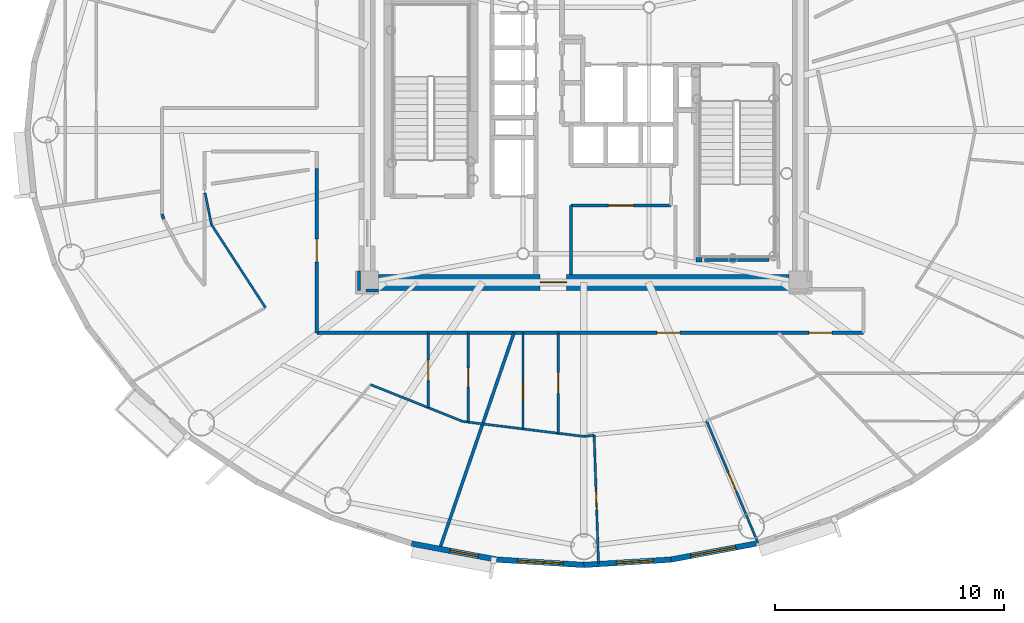
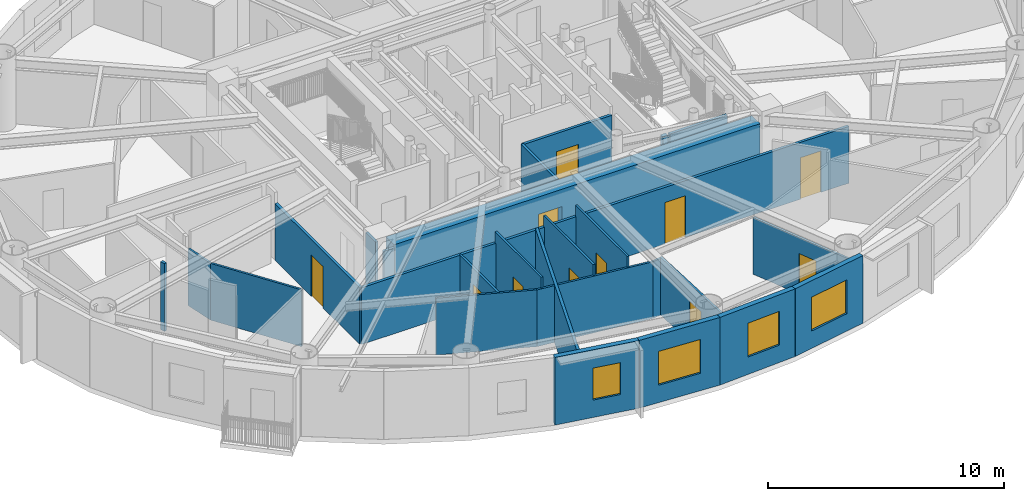
# One storey, part 6 of 18: 26 walls, 11 doors, 4 windows, 15 openings.
"""IFC4 building model written with IfcOpenShell, lengths in metres."""

from ifc_helpers import new_model, si_unit, direction, frame, frame_2d, origin, origin_2d, place, context, subcontext, project, spatial, rectangle, extrude, source, transform, mapped, material, layer, layer_set, type_object, element, fill, save


model = new_model("IFC4")

# Units and contexts
model_context = context("Model", 3, precision=1e-05, world=origin(), true_north=direction((0.0, 1.0)))
body_context = subcontext(model_context, "Body", "Model", "MODEL_VIEW")
ifc_project = project(units=[si_unit("LENGTHUNIT", "METRE"), si_unit("AREAUNIT", "SQUARE_METRE"), si_unit("VOLUMEUNIT", "CUBIC_METRE"), si_unit("PLANEANGLEUNIT", "RADIAN"), si_unit("MASSUNIT", "GRAM", prefix="KILO")], contexts=[model_context])

# Site, building, storey
site_placement = place(None, origin())
site = spatial("IfcSite", under=ifc_project, at=site_placement, CompositionType="ELEMENT")
building_placement = place(site_placement, origin())
building = spatial("IfcBuilding", under=site, at=building_placement, Name="Linh Dai School and Residence Tower", CompositionType="ELEMENT")
storey_placement = place(building_placement, frame((0.0, 0.0, 240.300048828125)))
storey = spatial("IfcBuildingStorey", under=building, at=storey_placement, Name="L59", CompositionType="ELEMENT", Elevation=240.300048828125)

# Wall, opening, window
ifc_material_1 = material(Name="Precast Concrete B45 (C35/45)", Category="concrete")
ifc_layer_1 = layer(ifc_material_1, 0.239990234375)
ifc_layer_set_1 = layer_set([ifc_layer_1], Name="Precast Concrete B45 (C35/45)")
wall_type_1 = type_object("IfcWallType", Name="EW-TC-240", PredefinedType="SOLIDWALL", material=ifc_layer_set_1)
wall_1_placement = place(storey_placement, frame((32.198486328125, 8.254150390625, 0.0), z_axis=(0.0, 0.0, 1.0), x_axis=(-0.982784898575, 0.184753465822, 0.0)))
wall_1 = element("IfcWall", 1, at=wall_1_placement, inside=storey, type_object=wall_type_1, Name="L59 Terracotta Exterior Wall 29", PredefinedType="SOLIDWALL", context=body_context, shape_type="SweptSolid", body=[
    extrude(rectangle(XDim=3.772705078125, YDim=0.239990234375, at=frame_2d((1.88623046875, 0.0))), origin(), (0.0, 0.0, 1.0), 3.5),
])
opening_1_placement = place(wall_1_placement, frame((0.824462890625, 0.0, 0.89990234375)))
opening_1 = element("IfcOpeningElement", 2, at=opening_1_placement, cuts=wall_1, Name="Opening W3", PredefinedType="OPENING", context=body_context, shape_type="SweptSolid", body=[
    extrude(rectangle(XDim=1.25, YDim=1.64990234375, at=origin_2d()), frame((0.625, 0.1298828125, 0.824951171875), z_axis=(0.0, -1.0, 0.0), x_axis=(1.0, 0.0, 0.0)), (0.0, 0.0, 1.0), 0.260009765625),
])
ifc_material_2 = material(Name="Double Low-E Insulated Glazing", Category="glass")
window_type_1 = type_object("IfcWindowType", Name="WN-RES-1250x1650", PartitioningType="SINGLE_PANEL", PredefinedType="WINDOW", material=ifc_material_2)
shared_shape_1 = source(origin(), body_context, "Body", "SweptSolid", [
    extrude(rectangle(XDim=1.25, YDim=1.64990234375, at=origin_2d()), frame((0.625, 0.030029296875, 0.824951171875), z_axis=(0.0, -1.0, 0.0), x_axis=(1.0, 0.0, 0.0)), (0.0, 0.0, 1.0), 0.06005859375),
])
window_1_placement = place(opening_1_placement, origin())
window_1 = element("IfcWindow", 3, at=window_1_placement, inside=storey, type_object=window_type_1, Name="L59 Exterior Window 29.1", OverallHeight=1.64990234375, OverallWidth=1.25, PartitioningType="SINGLE_PANEL", PredefinedType="WINDOW", context=body_context, shape_type="MappedRepresentation", body=[
    mapped(shared_shape_1, transform((0.0, 0.0, 0.0), x_axis=(1.0, 0.0, 0.0), y_axis=(0.0, 1.0, 0.0), z_axis=(0.0, 0.0, 1.0), scale=1.0)),
])
fill(opening_1, window_1)

wall_2_placement = place(storey_placement, frame((36.0, 8.02001953125, 0.0), z_axis=(0.0, 0.0, 1.0), x_axis=(-0.998108785312, 0.06147237333, 0.0)))
wall_2 = element("IfcWall", 4, at=wall_2_placement, inside=storey, type_object=wall_type_1, Name="L59 Terracotta Exterior Wall 30", PredefinedType="SOLIDWALL", context=body_context, shape_type="SweptSolid", body=[
    extrude(rectangle(XDim=3.808837890625, YDim=0.239990234375, at=frame_2d((1.904296875, 0.0))), origin(), (0.0, 0.0, 1.0), 3.5),
])
opening_2_placement = place(wall_2_placement, frame((0.904296875, 0.0, 0.89990234375)))
opening_2 = element("IfcOpeningElement", 5, at=opening_2_placement, cuts=wall_2, Name="Opening W1", PredefinedType="OPENING", context=body_context, shape_type="SweptSolid", body=[
    extrude(rectangle(XDim=2.0, YDim=1.75, at=origin_2d()), frame((1.0, 0.1298828125, 0.875), z_axis=(0.0, -1.0, 0.0), x_axis=(1.0, 0.0, 0.0)), (0.0, 0.0, 1.0), 0.260009765625),
])
window_type_2 = type_object("IfcWindowType", Name="WN-RES-2000x1750", PartitioningType="DOUBLE_PANEL_VERTICAL", PredefinedType="WINDOW", material=ifc_material_2)
shared_shape_2 = source(origin(), body_context, "Body", "SweptSolid", [
    extrude(rectangle(XDim=2.0, YDim=1.75, at=origin_2d()), frame((1.0, 0.030029296875, 0.875), z_axis=(0.0, -1.0, 0.0), x_axis=(1.0, 0.0, 0.0)), (0.0, 0.0, 1.0), 0.06005859375),
])
window_2_placement = place(opening_2_placement, origin())
window_2 = element("IfcWindow", 6, at=window_2_placement, inside=storey, type_object=window_type_2, Name="L59 Exterior Window 30.1", OverallHeight=1.75, OverallWidth=2.0, PartitioningType="DOUBLE_PANEL_VERTICAL", PredefinedType="WINDOW", context=body_context, shape_type="MappedRepresentation", body=[
    mapped(shared_shape_2, transform((0.0, 0.0, 0.0), x_axis=(1.0, 0.0, 0.0), y_axis=(0.0, 1.0, 0.0), z_axis=(0.0, 0.0, 1.0), scale=1.0)),
])
fill(opening_2, window_2)

wall_3_placement = place(storey_placement, frame((39.801513671875, 8.254150390625, 0.0), z_axis=(0.0, 0.0, 1.0), x_axis=(-0.998108785312, -0.06147237333, 0.0)))
wall_3 = element("IfcWall", 7, at=wall_3_placement, inside=storey, type_object=wall_type_1, Name="L59 Terracotta Exterior Wall 31", PredefinedType="SOLIDWALL", context=body_context, shape_type="SweptSolid", body=[
    extrude(rectangle(XDim=3.808837890625, YDim=0.239990234375, at=frame_2d((1.904296875, 0.0))), origin(), (0.0, 0.0, 1.0), 3.5),
])
opening_3_placement = place(wall_3_placement, frame((0.78466796875, 0.0, 0.89990234375)))
opening_3 = element("IfcOpeningElement", 8, at=opening_3_placement, cuts=wall_3, Name="Opening W2", PredefinedType="OPENING", context=body_context, shape_type="SweptSolid", body=[
    extrude(rectangle(XDim=1.60009765625, YDim=1.75, at=origin_2d()), frame((0.800048828125, 0.1298828125, 0.875), z_axis=(0.0, -1.0, 0.0), x_axis=(1.0, 0.0, 0.0)), (0.0, 0.0, 1.0), 0.260009765625),
])
window_type_3 = type_object("IfcWindowType", Name="WN-RES-1600x1750", PartitioningType="DOUBLE_PANEL_VERTICAL", PredefinedType="WINDOW", material=ifc_material_2)
shared_shape_3 = source(origin(), body_context, "Body", "SweptSolid", [
    extrude(rectangle(XDim=1.60009765625, YDim=1.75, at=origin_2d()), frame((0.800048828125, 0.030029296875, 0.875), z_axis=(0.0, -1.0, 0.0), x_axis=(1.0, 0.0, 0.0)), (0.0, 0.0, 1.0), 0.06005859375),
])
window_3_placement = place(opening_3_placement, origin())
window_3 = element("IfcWindow", 9, at=window_3_placement, inside=storey, type_object=window_type_3, Name="L59 Exterior Window 31.1", OverallHeight=1.75, OverallWidth=1.60009765625, PartitioningType="DOUBLE_PANEL_VERTICAL", PredefinedType="WINDOW", context=body_context, shape_type="MappedRepresentation", body=[
    mapped(shared_shape_3, transform((0.0, 0.0, 0.0), x_axis=(1.0, 0.0, 0.0), y_axis=(0.0, 1.0, 0.0), z_axis=(0.0, 0.0, 1.0), scale=1.0)),
])
fill(opening_3, window_3)

wall_4_placement = place(storey_placement, frame((43.50927734375, 8.951171875, 0.0), z_axis=(0.0, 0.0, 1.0), x_axis=(-0.982784898575, -0.184753465822, 0.0)))
wall_4 = element("IfcWall", 10, at=wall_4_placement, inside=storey, type_object=wall_type_1, Name="L59 Terracotta Exterior Wall 32", PredefinedType="SOLIDWALL", context=body_context, shape_type="SweptSolid", body=[
    extrude(rectangle(XDim=3.772705078125, YDim=0.239990234375, at=frame_2d((1.88623046875, 0.0))), origin(), (0.0, 0.0, 1.0), 3.5),
])
opening_4_placement = place(wall_4_placement, frame((0.88623046875, 0.0, 0.89990234375)))
opening_4 = element("IfcOpeningElement", 11, at=opening_4_placement, cuts=wall_4, Name="Opening W1", PredefinedType="OPENING", context=body_context, shape_type="SweptSolid", body=[
    extrude(rectangle(XDim=2.0, YDim=1.75, at=origin_2d()), frame((1.0, 0.1298828125, 0.875), z_axis=(0.0, -1.0, 0.0), x_axis=(1.0, 0.0, 0.0)), (0.0, 0.0, 1.0), 0.260009765625),
])
window_4_placement = place(opening_4_placement, origin())
window_4 = element("IfcWindow", 12, at=window_4_placement, inside=storey, type_object=window_type_2, Name="L59 Exterior Window 32.1", OverallHeight=1.75, OverallWidth=2.0, PartitioningType="DOUBLE_PANEL_VERTICAL", PredefinedType="WINDOW", context=body_context, shape_type="MappedRepresentation", body=[
    mapped(shared_shape_2, transform((0.0, 0.0, 0.0), x_axis=(1.0, 0.0, 0.0), y_axis=(0.0, 1.0, 0.0), z_axis=(0.0, 0.0, 1.0), scale=1.0)),
])
fill(opening_4, window_4)

# Wall
ifc_material_3 = material(Name="Autoclaved Aerated Concrete Blockwork", Category="masonry")
ifc_layer_2 = layer(ifc_material_3, 0.135009765625)
ifc_layer_set_2 = layer_set([ifc_layer_2], Name="Autoclaved Aerated Concrete Blockwork")
wall_type_2 = type_object("IfcWallType", Name="IW-CORR-135-EI90", PredefinedType="PARTITIONING", material=ifc_layer_set_2)
wall_5_placement = place(storey_placement, frame((17.60009765625, 23.327880859375, 0.0), z_axis=(0.0, 0.0, 1.0), x_axis=(0.292875000845, -0.956150738053, 0.0)))
element("IfcWall", 13, at=wall_5_placement, inside=storey, type_object=wall_type_2, Name="L59 Interior Partition Wall 008", PredefinedType="PARTITIONING", context=body_context, shape_type="SweptSolid", body=[
    extrude(rectangle(XDim=0.226806640625, YDim=0.135009765625, at=frame_2d((0.11328125, 0.0))), origin(), (0.0, 0.0, 1.0), 3.5),
])

# Wall, opening, door
wall_6_placement = place(storey_placement, frame((24.35009765625, 18.14990234375, 0.0), z_axis=(0.0, 0.0, 1.0), x_axis=(0.0, 1.0, 0.0)))
wall_6 = element("IfcWall", 14, at=wall_6_placement, inside=storey, type_object=wall_type_2, Name="L59 Interior Partition Wall 020", PredefinedType="PARTITIONING", context=body_context, shape_type="SweptSolid", body=[
    extrude(rectangle(XDim=7.16259765625, YDim=0.135009765625, at=frame_2d((3.581298828125, 0.0))), origin(), (0.0, 0.0, 1.0), 2.93505859375),
])
opening_5_placement = place(wall_6_placement, frame((3.081298828125, 0.0, 0.0)))
opening_5 = element("IfcOpeningElement", 15, at=opening_5_placement, cuts=wall_6, Name="Opening D03", PredefinedType="OPENING", context=body_context, shape_type="SweptSolid", body=[
    extrude(rectangle(XDim=1.0, YDim=2.14990234375, at=origin_2d()), frame((0.5, 0.07763671875, 1.074951171875), z_axis=(0.0, -1.0, 0.0), x_axis=(1.0, 0.0, 0.0)), (0.0, 0.0, 1.0), 0.155029296875),
])
ifc_material_4 = material(Name="Fire-Rated Solid Timber Entrance Door", Category="wood")
door_type_1 = type_object("IfcDoorType", Name="DR-FLAT-1000x2150-FD60S", OperationType="NOTDEFINED", PredefinedType="DOOR", material=ifc_material_4)
shared_shape_4 = source(origin(), body_context, "Body", "SweptSolid", [
    extrude(rectangle(XDim=1.0, YDim=2.14990234375, at=origin_2d()), frame((0.5, 0.02490234375, 1.074951171875), z_axis=(0.0, -1.0, 0.0), x_axis=(1.0, 0.0, 0.0)), (0.0, 0.0, 1.0), 0.050048828125),
])
door_1_placement = place(opening_5_placement, origin())
door_1 = element("IfcDoor", 16, at=door_1_placement, inside=storey, type_object=door_type_1, Name="L59 U5903 Apartment Entrance Door", OperationType="SINGLE_SWING_RIGHT", OverallHeight=2.14990234375, OverallWidth=1.0, PredefinedType="DOOR", context=body_context, shape_type="MappedRepresentation", body=[
    mapped(shared_shape_4, transform((0.0, 0.0, 0.0), x_axis=(1.0, 0.0, 0.0), y_axis=(0.0, 1.0, 0.0), z_axis=(0.0, 0.0, 1.0), scale=1.0)),
])
fill(opening_5, door_1)

# Wall, openings, doors
wall_7_placement = place(storey_placement, frame((24.35009765625, 18.14990234375, 0.0), z_axis=(0.0, 0.0, 1.0), x_axis=(1.0, 0.0, 0.0)))
wall_7 = element("IfcWall", 17, at=wall_7_placement, inside=storey, type_object=wall_type_2, Name="L59 Interior Partition Wall 021", PredefinedType="PARTITIONING", context=body_context, shape_type="SweptSolid", body=[
    extrude(rectangle(XDim=23.849853515625, YDim=0.135009765625, at=frame_2d((11.9248046875, 0.0))), origin(), (0.0, 0.0, 1.0), 2.93505859375),
])
opening_6_placement = place(wall_7_placement, frame((14.838134765625, 0.0, 0.0)))
opening_6 = element("IfcOpeningElement", 18, at=opening_6_placement, cuts=wall_7, Name="Opening D03", PredefinedType="OPENING", context=body_context, shape_type="SweptSolid", body=[
    extrude(rectangle(XDim=1.0, YDim=2.14990234375, at=origin_2d()), frame((0.5, 0.07763671875, 1.074951171875), z_axis=(0.0, -1.0, 0.0), x_axis=(1.0, 0.0, 0.0)), (0.0, 0.0, 1.0), 0.155029296875),
])
opening_7_placement = place(wall_7_placement, frame((21.472412109375, 0.0, 0.0)))
opening_7 = element("IfcOpeningElement", 19, at=opening_7_placement, cuts=wall_7, Name="Opening D03", PredefinedType="OPENING", context=body_context, shape_type="SweptSolid", body=[
    extrude(rectangle(XDim=1.0, YDim=2.14990234375, at=origin_2d()), frame((0.5, 0.07763671875, 1.074951171875), z_axis=(0.0, -1.0, 0.0), x_axis=(1.0, 0.0, 0.0)), (0.0, 0.0, 1.0), 0.155029296875),
])
door_2_placement = place(opening_6_placement, origin())
door_2 = element("IfcDoor", 20, at=door_2_placement, inside=storey, type_object=door_type_1, Name="L59 U5904 Apartment Entrance Door", OperationType="SINGLE_SWING_LEFT", OverallHeight=2.14990234375, OverallWidth=1.0, PredefinedType="DOOR", context=body_context, shape_type="MappedRepresentation", body=[
    mapped(shared_shape_4, transform((0.0, 0.0, 0.0), x_axis=(1.0, 0.0, 0.0), y_axis=(0.0, 1.0, 0.0), z_axis=(0.0, 0.0, 1.0), scale=1.0)),
])
fill(opening_6, door_2)
door_3_placement = place(opening_7_placement, origin())
door_3 = element("IfcDoor", 21, at=door_3_placement, inside=storey, type_object=door_type_1, Name="L59 U5905 Apartment Entrance Door", OperationType="SINGLE_SWING_RIGHT", OverallHeight=2.14990234375, OverallWidth=1.0, PredefinedType="DOOR", context=body_context, shape_type="MappedRepresentation", body=[
    mapped(shared_shape_4, transform((0.0, 0.0, 0.0), x_axis=(1.0, 0.0, 0.0), y_axis=(0.0, 1.0, 0.0), z_axis=(0.0, 0.0, 1.0), scale=1.0)),
])
fill(opening_7, door_3)

# Walls
wall_8_placement = place(storey_placement, frame((29.7109375, 8.716796875, 0.0), z_axis=(0.0, 0.0, 1.0), x_axis=(0.325280852175, 0.945617452889, 0.0)))
element("IfcWall", 22, at=wall_8_placement, inside=storey, type_object=wall_type_2, Name="L59 Interior Partition Wall 029", PredefinedType="PARTITIONING", context=body_context, shape_type="SweptSolid", body=[
    extrude(rectangle(XDim=9.9755859375, YDim=0.135009765625, at=frame_2d((4.98779296875, 0.0))), origin(), (0.0, 0.0, 1.0), 2.98486328125),
])
wall_9_placement = place(storey_placement, frame((35.449951171875, 20.699951171875, 0.0), z_axis=(0.0, 0.0, 1.0), x_axis=(0.0, 1.0, 0.0)))
element("IfcWall", 23, at=wall_9_placement, inside=storey, type_object=wall_type_2, Name="L59 Interior Partition Wall 052", PredefinedType="PARTITIONING", context=body_context, shape_type="SweptSolid", body=[
    extrude(rectangle(XDim=3.0, YDim=0.135009765625, at=frame_2d((1.5, 0.0))), origin(), (0.0, 0.0, 1.0), 3.0849609375),
])

# Wall, opening, door
wall_10_placement = place(storey_placement, frame((35.449951171875, 23.699951171875, 0.0), z_axis=(0.0, 0.0, 1.0), x_axis=(1.0, 0.0, 0.0)))
wall_10 = element("IfcWall", 24, at=wall_10_placement, inside=storey, type_object=wall_type_2, Name="L59 Interior Partition Wall 053", PredefinedType="PARTITIONING", context=body_context, shape_type="SweptSolid", body=[
    extrude(rectangle(XDim=4.35009765625, YDim=0.135009765625, at=frame_2d((2.175048828125, 0.0))), origin(), (0.0, 0.0, 1.0), 3.0849609375),
])
opening_8_placement = place(wall_10_placement, frame((1.625, 0.0, 0.0)))
opening_8 = element("IfcOpeningElement", 25, at=opening_8_placement, cuts=wall_10, Name="Opening D07", PredefinedType="OPENING", context=body_context, shape_type="SweptSolid", body=[
    extrude(rectangle(XDim=1.10009765625, YDim=2.14990234375, at=origin_2d()), frame((0.550048828125, 0.07763671875, 1.074951171875), z_axis=(0.0, -1.0, 0.0), x_axis=(1.0, 0.0, 0.0)), (0.0, 0.0, 1.0), 0.155029296875),
])
ifc_material_5 = material(Name="Fire-Rated Louvred Steel Plant Door", Category="steel")
door_type_2 = type_object("IfcDoorType", Name="DR-PLT-1100x2150-FD60S", OperationType="NOTDEFINED", PredefinedType="DOOR", material=ifc_material_5)
shared_shape_5 = source(origin(), body_context, "Body", "SweptSolid", [
    extrude(rectangle(XDim=1.10009765625, YDim=2.14990234375, at=origin_2d()), frame((0.550048828125, 0.02490234375, 1.074951171875), z_axis=(0.0, -1.0, 0.0), x_axis=(1.0, 0.0, 0.0)), (0.0, 0.0, 1.0), 0.050048828125),
])
door_4_placement = place(opening_8_placement, origin())
door_4 = element("IfcDoor", 26, at=door_4_placement, inside=storey, type_object=door_type_2, Name="L59 Tenant Metering and BMS Room Door", OperationType="SINGLE_SWING_RIGHT", OverallHeight=2.14990234375, OverallWidth=1.10009765625, PredefinedType="DOOR", context=body_context, shape_type="MappedRepresentation", body=[
    mapped(shared_shape_5, transform((0.0, 0.0, 0.0), x_axis=(1.0, 0.0, 0.0), y_axis=(0.0, 1.0, 0.0), z_axis=(0.0, 0.0, 1.0), scale=1.0)),
])
fill(opening_8, door_4)

# Walls
wall_11_placement = place(storey_placement, frame((44.080078125, 21.330078125, 0.0), z_axis=(0.0, 0.0, 1.0), x_axis=(-1.0, 0.0, 0.0)))
element("IfcWall", 27, at=wall_11_placement, inside=storey, type_object=wall_type_2, Name="L59 Interior Partition Wall 097", PredefinedType="PARTITIONING", context=body_context, shape_type="SweptSolid", body=[
    extrude(rectangle(XDim=2.820068359375, YDim=0.135009765625, at=frame_2d((1.41015625, 0.0))), origin(), (0.0, 0.0, 1.0), 3.034912109375),
])
wall_12_placement = place(storey_placement, frame((26.199951171875, 20.840087890625, 0.0), z_axis=(0.0, 0.0, 1.0), x_axis=(0.0, -1.0, 0.0)))
element("IfcWall", 28, at=wall_12_placement, inside=storey, type_object=wall_type_2, Name="L59 Interior Partition Wall 108", PredefinedType="PARTITIONING", context=body_context, shape_type="SweptSolid", body=[
    extrude(rectangle(XDim=0.840087890625, YDim=0.135009765625, at=frame_2d((0.419921875, 0.0))), origin(), (0.0, 0.0, 1.0), 3.5),
])
wall_13_placement = place(storey_placement, frame((26.507568359375, 20.0, 0.0), z_axis=(0.0, 0.0, 1.0), x_axis=(1.0, 0.0, 0.0)))
element("IfcWall", 29, at=wall_13_placement, inside=storey, type_object=wall_type_2, Name="L59 Interior Partition Wall 109", PredefinedType="PARTITIONING", context=body_context, shape_type="SweptSolid", body=[
    extrude(rectangle(XDim=0.532470703125, YDim=0.135009765625, at=frame_2d((0.26611328125, 0.0))), origin(), (0.0, 0.0, 1.0), 2.93505859375),
])
ifc_material_6 = material(Name="Concrete B45 (C35/45)", Category="concrete")
ifc_layer_3 = layer(ifc_material_6, 0.199951171875)
ifc_layer_set_3 = layer_set([ifc_layer_3], Name="Concrete B45 (C35/45)")
wall_type_3 = type_object("IfcWallType", Name="IW-SHAFT-200-EI120", PredefinedType="PARTITIONING", material=ifc_layer_set_3)
wall_14_placement = place(storey_placement, frame((40.89990234375, 21.330078125, 0.0), z_axis=(0.0, 0.0, 1.0), x_axis=(1.0, 0.0, 0.0)))
element("IfcWall", 30, at=wall_14_placement, inside=storey, type_object=wall_type_3, Name="L59 Interior Partition Wall 071", PredefinedType="PARTITIONING", context=body_context, shape_type="SweptSolid", body=[
    extrude(rectangle(XDim=0.25, YDim=0.199951171875, at=frame_2d((0.125, 0.0))), origin(), (0.0, 0.0, 1.0), 3.034912109375),
])
ifc_material_7 = material(Name="Gypsum Plasterboard Acoustic Stud Partition", Category="masonry")
ifc_layer_4 = layer(ifc_material_7, 0.10009765625)
ifc_layer_set_4 = layer_set([ifc_layer_4], Name="Gypsum Plasterboard Acoustic Stud Partition")
wall_type_4 = type_object("IfcWallType", Name="IW-UNIT-100", PredefinedType="PARTITIONING", material=ifc_layer_set_4)
wall_15_placement = place(storey_placement, frame((19.47509765625, 24.255859375, 0.0), z_axis=(0.0, 0.0, 1.0), x_axis=(0.198203790622, -0.980160832406, 0.0)))
element("IfcWall", 31, at=wall_15_placement, inside=storey, type_object=wall_type_4, Name="L59 Interior Partition Wall 015", PredefinedType="PARTITIONING", context=body_context, shape_type="SweptSolid", body=[
    extrude(rectangle(XDim=1.41650390625, YDim=0.10009765625, at=frame_2d((0.708251953125, 0.0))), origin(), (0.0, 0.0, 1.0), 2.93505859375),
])
wall_16_placement = place(storey_placement, frame((19.755859375, 22.867431640625, 0.0), z_axis=(0.0, 0.0, 1.0), x_axis=(0.545441385955, -0.83814896915, 0.0)))
element("IfcWall", 32, at=wall_16_placement, inside=storey, type_object=wall_type_4, Name="L59 Interior Partition Wall 016", PredefinedType="PARTITIONING", context=body_context, shape_type="SweptSolid", body=[
    extrude(rectangle(XDim=4.318115234375, YDim=0.10009765625, at=frame_2d((2.1591796875, 0.0))), origin(), (0.0, 0.0, 1.0), 2.93505859375),
])
wall_17_placement = place(storey_placement, frame((26.703369140625, 15.88427734375, 0.0), z_axis=(0.0, 0.0, 1.0), x_axis=(0.928807108231, -0.370563564991, 0.0)))
element("IfcWall", 33, at=wall_17_placement, inside=storey, type_object=wall_type_4, Name="L59 Interior Partition Wall 025", PredefinedType="PARTITIONING", context=body_context, shape_type="SweptSolid", body=[
    extrude(rectangle(XDim=4.32666015625, YDim=0.10009765625, at=frame_2d((2.163330078125, 0.0))), origin(), (0.0, 0.0, 1.0), 2.93505859375),
])

# Wall, opening, door
wall_18_placement = place(storey_placement, frame((29.212890625, 14.883056640625, 0.0), z_axis=(0.0, 0.0, 1.0), x_axis=(0.0, 1.0, 0.0)))
wall_18 = element("IfcWall", 34, at=wall_18_placement, inside=storey, type_object=wall_type_4, Name="L59 Interior Partition Wall 027", PredefinedType="PARTITIONING", context=body_context, shape_type="SweptSolid", body=[
    extrude(rectangle(XDim=3.266845703125, YDim=0.10009765625, at=frame_2d((1.63330078125, 0.0))), origin(), (0.0, 0.0, 1.0), 2.93505859375),
])
opening_9_placement = place(wall_18_placement, frame((1.183349609375, 0.0, 0.0)))
opening_9 = element("IfcOpeningElement", 35, at=opening_9_placement, cuts=wall_18, Name="Opening D05", PredefinedType="OPENING", context=body_context, shape_type="SweptSolid", body=[
    extrude(rectangle(XDim=0.89990234375, YDim=2.10009765625, at=origin_2d()), frame((0.449951171875, 0.06005859375, 1.050048828125), z_axis=(0.0, -1.0, 0.0), x_axis=(1.0, 0.0, 0.0)), (0.0, 0.0, 1.0), 0.1201171875),
])
ifc_material_8 = material(Name="Engineered Timber Internal Door", Category="wood")
door_type_3 = type_object("IfcDoorType", Name="DR-INT-900x2100", OperationType="NOTDEFINED", PredefinedType="DOOR", material=ifc_material_8)
shared_shape_6 = source(origin(), body_context, "Body", "SweptSolid", [
    extrude(rectangle(XDim=0.89990234375, YDim=2.10009765625, at=origin_2d()), frame((0.449951171875, 0.02490234375, 1.050048828125), z_axis=(0.0, -1.0, 0.0), x_axis=(1.0, 0.0, 0.0)), (0.0, 0.0, 1.0), 0.050048828125),
])
door_5_placement = place(opening_9_placement, origin())
door_5 = element("IfcDoor", 36, at=door_5_placement, inside=storey, type_object=door_type_3, Name="L59 Apartment U5903 Kitchen Door", OperationType="SINGLE_SWING_LEFT", OverallHeight=2.10009765625, OverallWidth=0.89990234375, PredefinedType="DOOR", context=body_context, shape_type="MappedRepresentation", body=[
    mapped(shared_shape_6, transform((0.0, 0.0, 0.0), x_axis=(1.0, 0.0, 0.0), y_axis=(0.0, 1.0, 0.0), z_axis=(0.0, 0.0, 1.0), scale=1.0)),
])
fill(opening_9, door_5)

# Wall
wall_19_placement = place(storey_placement, frame((30.721923828125, 14.281005859375, 0.0), z_axis=(0.0, 0.0, 1.0), x_axis=(0.992398864395, -0.123062967412, 0.0)))
element("IfcWall", 37, at=wall_19_placement, inside=storey, type_object=wall_type_4, Name="L59 Interior Partition Wall 030", PredefinedType="PARTITIONING", context=body_context, shape_type="SweptSolid", body=[
    extrude(rectangle(XDim=5.31884765625, YDim=0.10009765625, at=frame_2d((2.659423828125, 0.0))), origin(), (0.0, 0.0, 1.0), 2.93505859375),
])

# Wall, opening, door
wall_20_placement = place(storey_placement, frame((30.96484375, 14.2509765625, 0.0), z_axis=(0.0, 0.0, 1.0), x_axis=(0.0, 1.0, 0.0)))
wall_20 = element("IfcWall", 38, at=wall_20_placement, inside=storey, type_object=wall_type_4, Name="L59 Interior Partition Wall 032", PredefinedType="PARTITIONING", context=body_context, shape_type="SweptSolid", body=[
    extrude(rectangle(XDim=3.89892578125, YDim=0.10009765625, at=frame_2d((1.949462890625, 0.0))), origin(), (0.0, 0.0, 1.0), 3.5),
])
opening_10_placement = place(wall_20_placement, frame((1.53955078125, 0.0, 0.0)))
opening_10 = element("IfcOpeningElement", 39, at=opening_10_placement, cuts=wall_20, Name="Opening D06", PredefinedType="OPENING", context=body_context, shape_type="SweptSolid", body=[
    extrude(rectangle(XDim=0.820068359375, YDim=2.10009765625, at=origin_2d()), frame((0.41015625, 0.06005859375, 1.050048828125), z_axis=(0.0, -1.0, 0.0), x_axis=(1.0, 0.0, 0.0)), (0.0, 0.0, 1.0), 0.1201171875),
])
ifc_material_9 = material(Name="Moisture-Resistant Timber Bathroom Door", Category="wood")
door_type_4 = type_object("IfcDoorType", Name="DR-WET-820x2100", OperationType="NOTDEFINED", PredefinedType="DOOR", material=ifc_material_9)
shared_shape_7 = source(origin(), body_context, "Body", "SweptSolid", [
    extrude(rectangle(XDim=0.820068359375, YDim=2.10009765625, at=origin_2d()), frame((0.41015625, 0.02490234375, 1.050048828125), z_axis=(0.0, -1.0, 0.0), x_axis=(1.0, 0.0, 0.0)), (0.0, 0.0, 1.0), 0.050048828125),
])
door_6_placement = place(opening_10_placement, origin())
door_6 = element("IfcDoor", 40, at=door_6_placement, inside=storey, type_object=door_type_4, Name="L59 Apartment U5903 Bathroom 1 Door", OperationType="SINGLE_SWING_RIGHT", OverallHeight=2.10009765625, OverallWidth=0.820068359375, PredefinedType="DOOR", context=body_context, shape_type="MappedRepresentation", body=[
    mapped(shared_shape_7, transform((0.0, 0.0, 0.0), x_axis=(1.0, 0.0, 0.0), y_axis=(0.0, 1.0, 0.0), z_axis=(0.0, 0.0, 1.0), scale=1.0)),
])
fill(opening_10, door_6)

wall_21_placement = place(storey_placement, frame((33.344970703125, 13.955810546875, 0.0), z_axis=(0.0, 0.0, 1.0), x_axis=(0.0, 1.0, 0.0)))
wall_21 = element("IfcWall", 41, at=wall_21_placement, inside=storey, type_object=wall_type_4, Name="L59 Interior Partition Wall 042", PredefinedType="PARTITIONING", context=body_context, shape_type="SweptSolid", body=[
    extrude(rectangle(XDim=4.194091796875, YDim=0.10009765625, at=frame_2d((2.09716796875, 0.0))), origin(), (0.0, 0.0, 1.0), 3.5),
])
opening_11_placement = place(wall_21_placement, frame((1.217041015625, 0.0, 0.0)))
opening_11 = element("IfcOpeningElement", 42, at=opening_11_placement, cuts=wall_21, Name="Opening D06", PredefinedType="OPENING", context=body_context, shape_type="SweptSolid", body=[
    extrude(rectangle(XDim=0.820068359375, YDim=2.10009765625, at=origin_2d()), frame((0.41015625, 0.06005859375, 1.050048828125), z_axis=(0.0, -1.0, 0.0), x_axis=(1.0, 0.0, 0.0)), (0.0, 0.0, 1.0), 0.1201171875),
])
door_7_placement = place(opening_11_placement, origin())
door_7 = element("IfcDoor", 43, at=door_7_placement, inside=storey, type_object=door_type_4, Name="L59 Apartment U5904 Bathroom 1 Door", OperationType="SINGLE_SWING_LEFT", OverallHeight=2.10009765625, OverallWidth=0.820068359375, PredefinedType="DOOR", context=body_context, shape_type="MappedRepresentation", body=[
    mapped(shared_shape_7, transform((0.0, 0.0, 0.0), x_axis=(1.0, 0.0, 0.0), y_axis=(0.0, 1.0, 0.0), z_axis=(0.0, 0.0, 1.0), scale=1.0)),
])
fill(opening_11, door_7)

wall_22_placement = place(storey_placement, frame((34.89111328125, 13.763916015625, 0.0), z_axis=(0.0, 0.0, 1.0), x_axis=(0.0, 1.0, 0.0)))
wall_22 = element("IfcWall", 44, at=wall_22_placement, inside=storey, type_object=wall_type_4, Name="L59 Interior Partition Wall 045", PredefinedType="PARTITIONING", context=body_context, shape_type="SweptSolid", body=[
    extrude(rectangle(XDim=4.385986328125, YDim=0.10009765625, at=frame_2d((2.19287109375, 0.0))), origin(), (0.0, 0.0, 1.0), 3.5),
])
opening_12_placement = place(wall_22_placement, frame((1.742919921875, 0.0, 0.0)))
opening_12 = element("IfcOpeningElement", 45, at=opening_12_placement, cuts=wall_22, Name="Opening D05", PredefinedType="OPENING", context=body_context, shape_type="SweptSolid", body=[
    extrude(rectangle(XDim=0.89990234375, YDim=2.10009765625, at=origin_2d()), frame((0.449951171875, 0.06005859375, 1.050048828125), z_axis=(0.0, -1.0, 0.0), x_axis=(1.0, 0.0, 0.0)), (0.0, 0.0, 1.0), 0.1201171875),
])
door_8_placement = place(opening_12_placement, origin())
door_8 = element("IfcDoor", 46, at=door_8_placement, inside=storey, type_object=door_type_3, Name="L59 Apartment U5904 Kitchen Door", OperationType="SINGLE_SWING_RIGHT", OverallHeight=2.10009765625, OverallWidth=0.89990234375, PredefinedType="DOOR", context=body_context, shape_type="MappedRepresentation", body=[
    mapped(shared_shape_6, transform((0.0, 0.0, 0.0), x_axis=(1.0, 0.0, 0.0), y_axis=(0.0, 1.0, 0.0), z_axis=(0.0, 0.0, 1.0), scale=1.0)),
])
fill(opening_12, door_8)

# Wall
wall_23_placement = place(storey_placement, frame((36.0, 13.62646484375, 0.0), z_axis=(0.0, 0.0, 1.0), x_axis=(0.992368340182, 0.123308869931, 0.0)))
element("IfcWall", 47, at=wall_23_placement, inside=storey, type_object=wall_type_4, Name="L59 Interior Partition Wall 058", PredefinedType="PARTITIONING", context=body_context, shape_type="SweptSolid", body=[
    extrude(rectangle(XDim=0.455322265625, YDim=0.10009765625, at=frame_2d((0.2275390625, 0.0))), origin(), (0.0, 0.0, 1.0), 2.93505859375),
])

# Wall, opening, door
wall_24_placement = place(storey_placement, frame((36.451904296875, 13.6826171875, 0.0), z_axis=(0.0, 0.0, 1.0), x_axis=(0.033903801357, -0.999425100872, 0.0)))
wall_24 = element("IfcWall", 48, at=wall_24_placement, inside=storey, type_object=wall_type_4, Name="L59 Interior Partition Wall 061", PredefinedType="PARTITIONING", context=body_context, shape_type="SweptSolid", body=[
    extrude(rectangle(XDim=5.631103515625, YDim=0.10009765625, at=frame_2d((2.8154296875, 0.0))), origin(), (0.0, 0.0, 1.0), 2.98486328125),
])
opening_13_placement = place(wall_24_placement, frame((2.365478515625, 0.0, 0.0)))
opening_13 = element("IfcOpeningElement", 49, at=opening_13_placement, cuts=wall_24, Name="Opening D05", PredefinedType="OPENING", context=body_context, shape_type="SweptSolid", body=[
    extrude(rectangle(XDim=0.89990234375, YDim=2.10009765625, at=origin_2d()), frame((0.449951171875, 0.06005859375, 1.050048828125), z_axis=(0.0, -1.0, 0.0), x_axis=(1.0, 0.0, 0.0)), (0.0, 0.0, 1.0), 0.1201171875),
])
door_9_placement = place(opening_13_placement, origin())
door_9 = element("IfcDoor", 50, at=door_9_placement, inside=storey, type_object=door_type_3, Name="L59 Apartment U5904 Bedroom 1 Door", OperationType="SINGLE_SWING_RIGHT", OverallHeight=2.10009765625, OverallWidth=0.89990234375, PredefinedType="DOOR", context=body_context, shape_type="MappedRepresentation", body=[
    mapped(shared_shape_6, transform((0.0, 0.0, 0.0), x_axis=(1.0, 0.0, 0.0), y_axis=(0.0, 1.0, 0.0), z_axis=(0.0, 0.0, 1.0), scale=1.0)),
])
fill(opening_13, door_9)

wall_25_placement = place(storey_placement, frame((41.35205078125, 14.310546875, 0.0), z_axis=(0.0, 0.0, 1.0), x_axis=(0.388594226314, -0.921408990229, 0.0)))
wall_25 = element("IfcWall", 51, at=wall_25_placement, inside=storey, type_object=wall_type_4, Name="L59 Interior Partition Wall 072", PredefinedType="PARTITIONING", context=body_context, shape_type="SweptSolid", body=[
    extrude(rectangle(XDim=5.78955078125, YDim=0.10009765625, at=frame_2d((2.894775390625, 0.0))), origin(), (0.0, 0.0, 1.0), 2.93505859375),
])
opening_14_placement = place(wall_25_placement, frame((2.44482421875, 0.0, 0.0)))
opening_14 = element("IfcOpeningElement", 52, at=opening_14_placement, cuts=wall_25, Name="Opening D05", PredefinedType="OPENING", context=body_context, shape_type="SweptSolid", body=[
    extrude(rectangle(XDim=0.89990234375, YDim=2.10009765625, at=origin_2d()), frame((0.449951171875, 0.06005859375, 1.050048828125), z_axis=(0.0, -1.0, 0.0), x_axis=(1.0, 0.0, 0.0)), (0.0, 0.0, 1.0), 0.1201171875),
])
door_10_placement = place(opening_14_placement, origin())
door_10 = element("IfcDoor", 53, at=door_10_placement, inside=storey, type_object=door_type_3, Name="L59 Apartment U5904 Bedroom 2 Door", OperationType="SINGLE_SWING_LEFT", OverallHeight=2.10009765625, OverallWidth=0.89990234375, PredefinedType="DOOR", context=body_context, shape_type="MappedRepresentation", body=[
    mapped(shared_shape_6, transform((0.0, 0.0, 0.0), x_axis=(1.0, 0.0, 0.0), y_axis=(0.0, 1.0, 0.0), z_axis=(0.0, 0.0, 1.0), scale=1.0)),
])
fill(opening_14, door_10)

ifc_layer_5 = layer(ifc_material_6, 0.699951171875)
ifc_layer_set_5 = layer_set([ifc_layer_5], Name="Concrete B45 (C35/45)")
wall_type_5 = type_object("IfcWallType", Name="WL-CORE700", PredefinedType="SHEAR", material=ifc_layer_set_5)
wall_26_placement = place(storey_placement, frame((44.949951171875, 20.35009765625, 0.0), z_axis=(0.0, 0.0, 1.0), x_axis=(-1.0, 0.0, 0.0)))
wall_26 = element("IfcWall", 54, at=wall_26_placement, inside=storey, type_object=wall_type_5, Name="L59 Central Core Shear Wall S", PredefinedType="SHEAR", context=body_context, shape_type="SweptSolid", body=[
    extrude(rectangle(XDim=17.89990234375, YDim=0.699951171875, at=frame_2d((8.949951171875, 0.0))), origin(), (0.0, 0.0, 1.0), 3.050048828125),
])
opening_15_placement = place(wall_26_placement, frame((9.699951171875, 0.0, 0.0)))
opening_15 = element("IfcOpeningElement", 55, at=opening_15_placement, cuts=wall_26, Name="Opening D02", PredefinedType="OPENING", context=body_context, shape_type="SweptSolid", body=[
    extrude(rectangle(XDim=1.14990234375, YDim=2.14990234375, at=origin_2d()), frame((0.574951171875, 0.35986328125, 1.074951171875), z_axis=(0.0, -1.0, 0.0), x_axis=(1.0, 0.0, 0.0)), (0.0, 0.0, 1.0), 0.719970703125),
])
ifc_material_10 = material(Name="Fire-Rated Glazed Steel Lobby Door", Category="steel")
door_type_5 = type_object("IfcDoorType", Name="DR-LOBBY-1150x2150-FD90S", OperationType="NOTDEFINED", PredefinedType="DOOR", material=ifc_material_10)
shared_shape_8 = source(origin(), body_context, "Body", "SweptSolid", [
    extrude(rectangle(XDim=1.14990234375, YDim=2.14990234375, at=origin_2d()), frame((0.574951171875, 0.02490234375, 1.074951171875), z_axis=(0.0, -1.0, 0.0), x_axis=(1.0, 0.0, 0.0)), (0.0, 0.0, 1.0), 0.050048828125),
])
door_11_placement = place(opening_15_placement, origin())
door_11 = element("IfcDoor", 56, at=door_11_placement, inside=storey, type_object=door_type_5, Name="L59 Passenger Foyer Access Door", OperationType="SINGLE_SWING_LEFT", OverallHeight=2.14990234375, OverallWidth=1.14990234375, PredefinedType="DOOR", context=body_context, shape_type="MappedRepresentation", body=[
    mapped(shared_shape_8, transform((0.0, 0.0, 0.0), x_axis=(1.0, 0.0, 0.0), y_axis=(0.0, 1.0, 0.0), z_axis=(0.0, 0.0, 1.0), scale=1.0)),
])
fill(opening_15, door_11)

save(model, "model.ifc")
